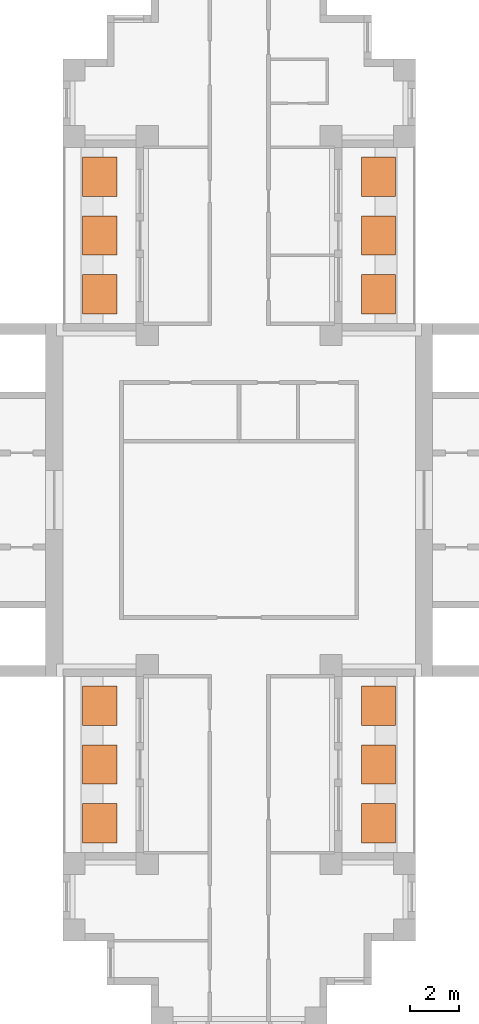
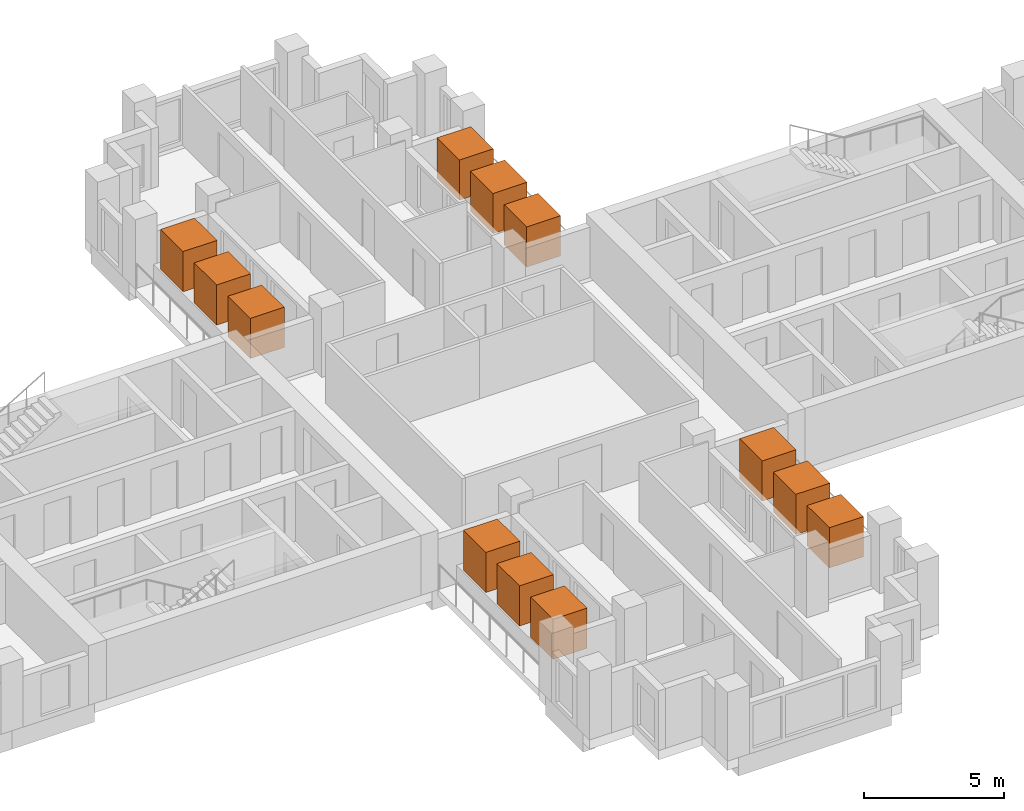
# One storey, part 11 of 11: 12 geographic elements.
"""IFC4 building model written with IfcOpenShell, lengths in metres."""

from ifc_helpers import new_model, si_unit, direction, frame, origin, origin_2d, place, context, subcontext, project, spatial, rectangle, extrude, material, element, save


model = new_model("IFC4")

# Units and contexts
model_context = context("Model", 3, precision=1e-05, world=origin(), true_north=direction((0.0, 1.0)))
body_context = subcontext(model_context, "Body", "Model", "MODEL_VIEW")
ifc_project = project(units=[si_unit("LENGTHUNIT", "METRE"), si_unit("AREAUNIT", "SQUARE_METRE"), si_unit("VOLUMEUNIT", "CUBIC_METRE"), si_unit("PLANEANGLEUNIT", "RADIAN"), si_unit("MASSUNIT", "GRAM", prefix="KILO")], contexts=[model_context])

# Site, building, storey
site_placement = place(None, origin())
site = spatial("IfcSite", under=ifc_project, at=site_placement, CompositionType="ELEMENT")
building_placement = place(site_placement, origin())
building = spatial("IfcBuilding", under=site, at=building_placement, Name="Fustian Cross Tower", CompositionType="ELEMENT")
storey_placement = place(building_placement, frame((0.0, 0.0, 138.300048828125)))
storey = spatial("IfcBuildingStorey", under=building, at=storey_placement, Name="L43", CompositionType="ELEMENT", Elevation=138.300048828125)

# Geographic elements
ifc_material = material(Name="Evergreen foliage")
for number, where, z_axis, x_axis, name in (
    (1, (5.68994140625, 8.39990234375, 0.800048828125), (0.0, 0.0, 1.0), (1.0, 0.0, 0.0), "TREE field maple"),
    (2, (5.68994140625, 10.800048828125, 0.800048828125), (0.0, 0.0, 1.0), (1.0, 0.0, 0.0), "TREE field maple"),
    (3, (5.68994140625, 13.199951171875, 0.800048828125), (0.0, 0.0, 1.0), (1.0, 0.0, 0.0), "TREE field maple"),
    (4, (-5.68994140625, 8.39990234375, 0.800048828125), (0.0, 0.0, 1.0), (1.0, 0.0, 0.0), "TREE field maple"),
    (5, (-5.68994140625, 10.800048828125, 0.800048828125), (0.0, 0.0, 1.0), (1.0, 0.0, 0.0), "TREE field maple"),
    (6, (-5.68994140625, 13.199951171875, 0.800048828125), (0.0, 0.0, 1.0), (1.0, 0.0, 0.0), "TREE field maple"),
    (7, (5.68994140625, -13.199951171875, 0.800048828125), (0.0, 0.0, 1.0), (1.0, 0.0, 0.0), "TREE field maple"),
    (8, (5.68994140625, -10.800048828125, 0.800048828125), (0.0, 0.0, 1.0), (1.0, 0.0, 0.0), "TREE field maple"),
    (9, (5.68994140625, -8.39990234375, 0.800048828125), (0.0, 0.0, 1.0), (1.0, 0.0, 0.0), "TREE field maple"),
    (10, (-5.68994140625, -13.199951171875, 0.800048828125), (0.0, 0.0, 1.0), (1.0, 0.0, 0.0), "TREE field maple"),
    (11, (-5.68994140625, -10.800048828125, 0.800048828125), (0.0, 0.0, 1.0), (1.0, 0.0, 0.0), "TREE field maple"),
    (12, (-5.68994140625, -8.39990234375, 0.800048828125), (0.0, 0.0, 1.0), (1.0, 0.0, 0.0), "TREE field maple"),
):
    element("IfcGeographicElement", number, at=place(storey_placement, frame(where, z_axis=z_axis, x_axis=x_axis)), inside=storey, material=ifc_material, Name=name, ObjectType="VEGETATION", PredefinedType="USERDEFINED", context=body_context, shape_type="SweptSolid", body=[
        extrude(rectangle(XDim=1.39990234375, YDim=1.60009765625, at=origin_2d()), origin(), (0.0, 0.0, 1.0), 1.75),
    ])

save(model, "model.ifc")
